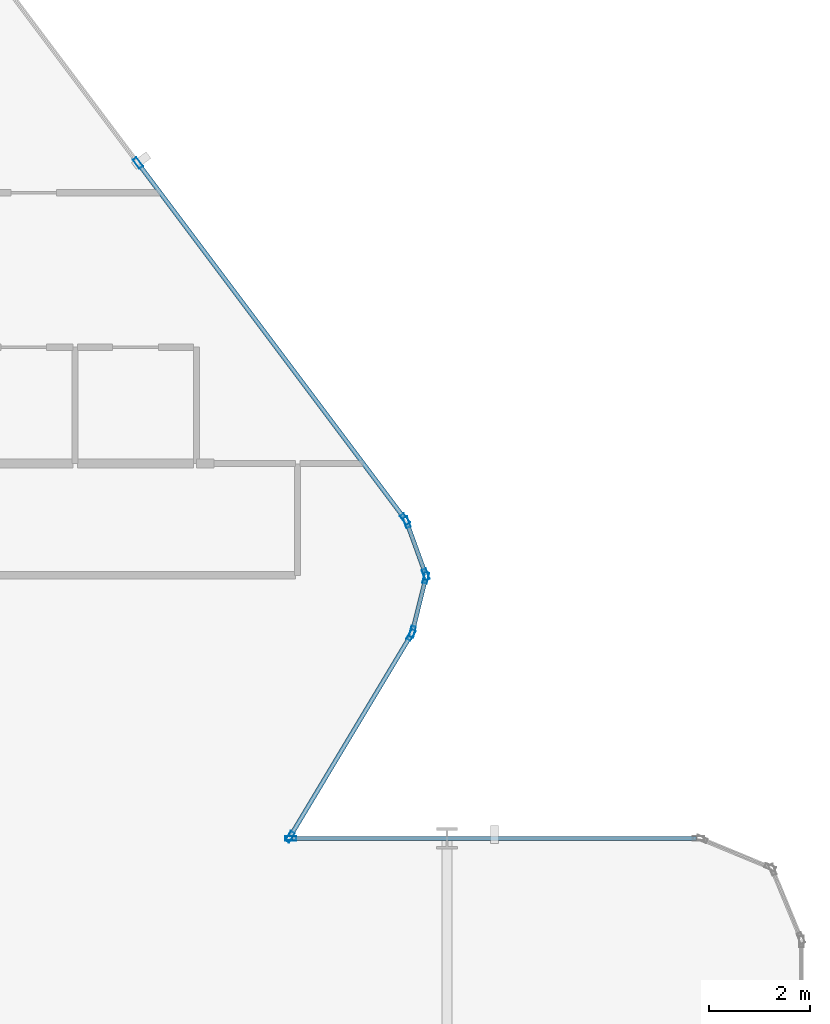
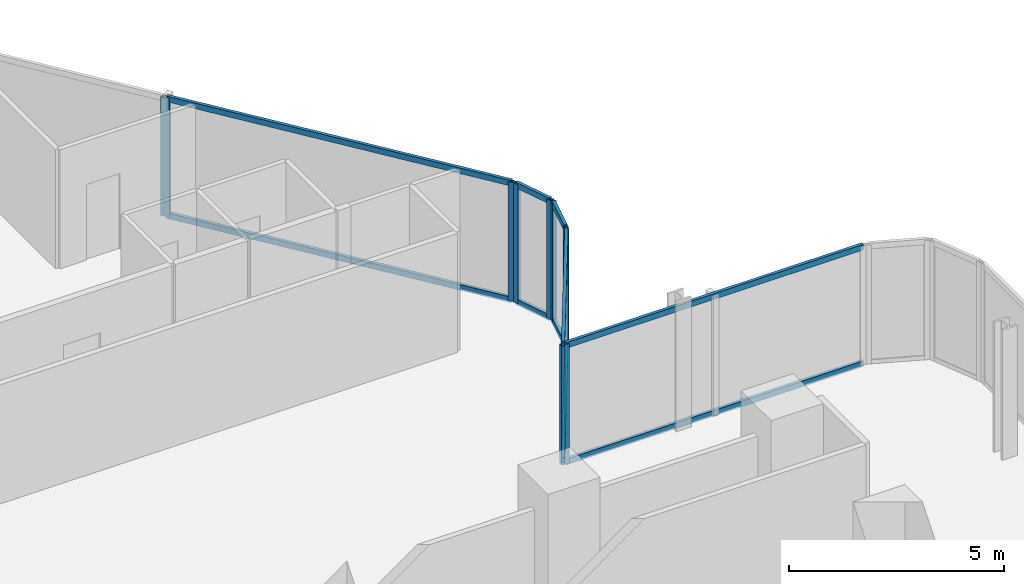
# One storey, part 15 of 34: 19 members, 5 elements without a shape of their own.
"""IFC4 building model written with IfcOpenShell, lengths in metres."""

import ifcopenshell
import ifcopenshell.guid

model = None  # the IFC model being written
_history = None  # IfcOwnerHistory: only IFC2X3 demands one
_inside = {}  # id of a spatial element -> (the spatial element, [elements in it])
_under = {}  # id of a project, library or spatial element -> (it, [spatial elements below it])
_declared = {}  # id of a project -> (the project, [libraries it declares])
_typed = {}  # id of a type object -> (the type object, [elements of that type])
_made_of = {}  # id of a material, layer set ... -> (it, [elements and type objects made of it])


def new_model(schema):
    """Start an empty IFC model of exactly this schema.

    Asked for "IFC4X3", IfcOpenShell would pick the latest addendum, in which some entities
    have other attributes; the version numbers below select the first issue.
    IFC2X3 requires an IfcOwnerHistory on every rooted entity: one is made here for all.
    """
    global model, _history
    if schema == "IFC4X3":
        model = ifcopenshell.file(schema_version=(4, 3, 0, 0))
    else:
        model = ifcopenshell.file(schema=schema)
    _inside.clear()
    _under.clear()
    _declared.clear()
    _typed.clear()
    _made_of.clear()
    _history = None
    if model.schema == "IFC2X3":
        org = make("IfcOrganization", Name="unknown")
        user = make(
            "IfcPersonAndOrganization",
            ThePerson=make("IfcPerson", FamilyName="unknown"),
            TheOrganization=org,
        )
        app = make(
            "IfcApplication",
            ApplicationDeveloper=org,
            Version="unknown",
            ApplicationFullName="unknown",
            ApplicationIdentifier="unknown",
        )
        _history = make(
            "IfcOwnerHistory",
            OwningUser=user,
            OwningApplication=app,
            ChangeAction="ADDED",
            CreationDate=0,
        )
    return model


def make(cls, **values):
    """One entity of the class cls with the attributes given. An attribute that is None is left unset."""
    return model.create_entity(
        cls, **{name: value for name, value in values.items() if value is not None}
    )


def rooted(cls, **values):
    """An entity with a GlobalId (a new one), such as an element, a storey or a relation."""
    return make(cls, GlobalId=ifcopenshell.guid.new(), OwnerHistory=_history, **values)


def si_unit(unit_type, name, prefix=None):
    """IfcSIUnit, for example si_unit("LENGTHUNIT", "METRE", prefix="MILLI")."""
    return make("IfcSIUnit", UnitType=unit_type, Prefix=prefix, Name=name)


def assignment(units):
    """IfcUnitAssignment: the units of a project."""
    return None if units is None else make("IfcUnitAssignment", Units=units)


def point(xyz):
    """IfcCartesianPoint."""
    return None if xyz is None else make("IfcCartesianPoint", Coordinates=xyz)


def direction(xyz):
    """IfcDirection."""
    return None if xyz is None else make("IfcDirection", DirectionRatios=xyz)


def frame(location, z_axis=None, x_axis=None):
    """IfcAxis2Placement3D, a coordinate frame: its origin and axes. An axis left out is left unset."""
    return make(
        "IfcAxis2Placement3D",
        Location=point(location),
        Axis=direction(z_axis),
        RefDirection=direction(x_axis),
    )


def frame_2d(location, x_axis=None):
    """IfcAxis2Placement2D, a coordinate frame in the plane: its origin and x axis."""
    return make(
        "IfcAxis2Placement2D", Location=point(location), RefDirection=direction(x_axis)
    )


def origin():
    """The frame at (0, 0, 0) with its axes left unset."""
    return frame((0.0, 0.0, 0.0))


def origin_2d():
    """The frame at (0, 0) in the plane with its x axis left unset."""
    return frame_2d((0.0, 0.0))


def place(relative_to, where):
    """IfcLocalPlacement: puts the frame where relative to a parent placement (None: the world)."""
    return make(
        "IfcLocalPlacement", PlacementRelTo=relative_to, RelativePlacement=where
    )


def context(
    kind, dimensions, precision=None, world=None, true_north=None, identifier=None
):
    """IfcGeometricRepresentationContext, for example the 3D "Model" context."""
    return make(
        "IfcGeometricRepresentationContext",
        ContextIdentifier=identifier,
        ContextType=kind,
        CoordinateSpaceDimension=dimensions,
        Precision=precision,
        WorldCoordinateSystem=world,
        TrueNorth=true_north,
    )


def subcontext(parent, identifier, kind, view, scale=None):
    """IfcGeometricRepresentationSubContext, for example "Body" below "Model"."""
    return make(
        "IfcGeometricRepresentationSubContext",
        ContextIdentifier=identifier,
        ContextType=kind,
        ParentContext=parent,
        TargetScale=scale,
        TargetView=view,
    )


def project(units=None, contexts=None):
    """IfcProject with its units and contexts."""
    return rooted(
        "IfcProject",
        Name="project",
        RepresentationContexts=contexts,
        UnitsInContext=assignment(units),
    )


def spatial(cls, under=None, at=None, **own):
    """A site, building, storey or space (cls), placed at a placement, below another one or the project."""
    s = rooted(cls, ObjectPlacement=at, **own)
    if under is not None:
        _under.setdefault(under.id(), (under, []))[1].append(s)
    return s


def profile(cls, at=None, kind="AREA", **sizes):
    """A parametric profile (cls). Its sizes go by their IFC names, for example OverallWidth=200.0."""
    return make(cls, ProfileType=kind, Position=at, **sizes)


def hollow_rectangle(**sizes):
    """IfcRectangleHollowProfileDef."""
    return profile("IfcRectangleHollowProfileDef", **sizes)


def extrude(swept, where, along, depth):
    """IfcExtrudedAreaSolid: the profile swept, set in the frame where, extruded along a direction by depth."""
    return make(
        "IfcExtrudedAreaSolid",
        SweptArea=swept,
        Position=where,
        ExtrudedDirection=direction(along),
        Depth=depth,
    )


def shape(context_of_items, identifier, shape_type, items):
    """IfcShapeRepresentation: the items that make up one representation, for example the "Body"."""
    return make(
        "IfcShapeRepresentation",
        ContextOfItems=context_of_items,
        RepresentationIdentifier=identifier,
        RepresentationType=shape_type,
        Items=items,
    )


def material(Name=None, Category=None):
    """IfcMaterial."""
    return make("IfcMaterial", Name=Name, Category=Category)


def layer(
    of_material, thickness, ventilated=None, Name=None, Category=None, Priority=None
):
    """IfcMaterialLayer: one layer of a wall or slab, of a material (None: an air gap)."""
    return make(
        "IfcMaterialLayer",
        Material=of_material,
        LayerThickness=thickness,
        IsVentilated=ventilated,
        Name=Name,
        Category=Category,
        Priority=Priority,
    )


def layer_set(layers, Name=None):
    """IfcMaterialLayerSet."""
    return make("IfcMaterialLayerSet", MaterialLayers=layers, LayerSetName=Name)


def material_profile(
    of_material, cross_section, Name=None, Category=None, Priority=None
):
    """IfcMaterialProfile: a cross section and its material."""
    return make(
        "IfcMaterialProfile",
        Name=Name,
        Material=of_material,
        Profile=cross_section,
        Priority=Priority,
        Category=Category,
    )


def profile_set(profiles, Name=None, composite=None):
    """IfcMaterialProfileSet."""
    return make(
        "IfcMaterialProfileSet",
        Name=Name,
        MaterialProfiles=profiles,
        CompositeProfile=composite,
    )


def made_of(thing, what):
    """Note that an element or type object is made of a material, layer set ...; save() writes the relation."""
    if what is not None:
        _made_of.setdefault(what.id(), (what, []))[1].append(thing)
    return thing


def type_object(cls, material=None, **own):
    """A type object (cls), such as IfcWallType, which elements share."""
    return made_of(rooted(cls, **own), material)


def element(
    cls,
    number,
    at=None,
    inside=None,
    cuts=None,
    type_object=None,
    material=None,
    context=None,
    identifier="Body",
    shape_type=None,
    held_by="IfcProductDefinitionShape",
    body=None,
    shapes=None,
    **own,
):
    """One element of the class cls, such as IfcWall. Its Tag is "e" and its number.

    at: its placement. inside: the storey or other place that contains it. cuts: it is an
    opening in that element (IfcRelVoidsElement). A single representation is given by context,
    identifier, shape_type and body (its items); several are given by shapes. held_by: the class
    of the entity that holds the representations. save() writes the other relations.
    """
    e = rooted(cls, Tag="e%d" % number, ObjectPlacement=at, **own)
    if body is not None:
        shapes = [shape(context, identifier, shape_type, body)]
    if shapes is not None:
        e.Representation = make(held_by, Representations=shapes)
    if inside is not None:
        _inside.setdefault(inside.id(), (inside, []))[1].append(e)
    if cuts is not None:
        rooted(
            "IfcRelVoidsElement", RelatingBuildingElement=cuts, RelatedOpeningElement=e
        )
    if type_object is not None:
        _typed.setdefault(type_object.id(), (type_object, []))[1].append(e)
    return made_of(e, material)


def aggregate(whole, parts):
    """IfcRelAggregates: a whole, such as a stair, and the parts it consists of."""
    return rooted("IfcRelAggregates", RelatingObject=whole, RelatedObjects=parts)


def save(model, path):
    """Write the relations noted so far, then the file.

    IfcRelAggregates (storeys below a building ...), IfcRelContainedInSpatialStructure (elements
    in a storey), IfcRelDefinesByType, IfcRelAssociatesMaterial and IfcRelDeclares: one each for
    every whole, place, type object, material and project.
    """
    for whole, parts in _under.values():
        aggregate(whole, parts)
    for where, things in _inside.values():
        rooted(
            "IfcRelContainedInSpatialStructure",
            RelatedElements=things,
            RelatingStructure=where,
        )
    for kind, things in _typed.values():
        rooted("IfcRelDefinesByType", RelatedObjects=things, RelatingType=kind)
    for what, things in _made_of.values():
        rooted("IfcRelAssociatesMaterial", RelatedObjects=things, RelatingMaterial=what)
    for by, libraries in _declared.values():
        rooted("IfcRelDeclares", RelatingContext=by, RelatedDefinitions=libraries)
    model.write(path)


model = new_model("IFC4")

# Units and contexts
model_context = context("Model", 3, precision=1e-05, world=origin(), true_north=direction((0.0, 1.0)))
body_context = subcontext(model_context, "Body", "Model", "MODEL_VIEW")
ifc_project = project(units=[si_unit("LENGTHUNIT", "METRE"), si_unit("AREAUNIT", "SQUARE_METRE"), si_unit("VOLUMEUNIT", "CUBIC_METRE"), si_unit("PLANEANGLEUNIT", "RADIAN"), si_unit("MASSUNIT", "GRAM", prefix="KILO")], contexts=[model_context])

# Site, building, storey
site_placement = place(None, origin())
site = spatial("IfcSite", under=ifc_project, at=site_placement, CompositionType="ELEMENT")
building_placement = place(site_placement, origin())
building = spatial("IfcBuilding", under=site, at=building_placement, Name="Keshet Zoharim Tower", CompositionType="ELEMENT")
storey_placement = place(building_placement, frame((0.0, 0.0, 38.800048828125)))
storey = spatial("IfcBuildingStorey", under=building, at=storey_placement, Name="L08", CompositionType="ELEMENT", Elevation=38.800048828125)

# Curtain wall, members
ifc_material = material(Name="Aluminium 6063-T6", Category="aluminium")
ifc_layer_1 = layer(ifc_material, 0.169921875)
ifc_layer_set_1 = layer_set([ifc_layer_1], Name="Aluminium 6063-T6")
curtain_wall_type_1 = type_object("IfcCurtainWallType", Name="CW-SYS-02", PredefinedType="NOTDEFINED", material=ifc_layer_set_1)
curtain_wall_1_placement = place(storey_placement, origin())
curtain_wall_1 = element("IfcCurtainWall", 1, at=curtain_wall_1_placement, inside=storey, type_object=curtain_wall_type_1, Name="L08 Unitised Curtain Wall 09", PredefinedType="NOTDEFINED")
ifc_material_profile_1 = material_profile(ifc_material, hollow_rectangle(XDim=0.090087890625, YDim=0.219970703125, WallThickness=0.0048828125, at=origin_2d()), Name="MUL-90x220")
ifc_profile_set_1 = profile_set([ifc_material_profile_1], Name="Aluminium 6063-T6")
member_type_1 = type_object("IfcMemberType", Name="CWM-M22", PredefinedType="MULLION", material=ifc_profile_set_1)
member_1_placement = place(storey_placement, frame((56.896484375, 46.0380859375, 0.0), z_axis=(0.0, 0.0, 1.0), x_axis=(0.799999999998, 0.600000000002, 0.0)))
member_1 = element("IfcMember", 2, at=member_1_placement, type_object=member_type_1, Name="CW-02 mullion 2", PredefinedType="MULLION", context=body_context, shape_type="SweptSolid", body=[
    extrude(hollow_rectangle(XDim=0.090087890625, YDim=0.219970703125, WallThickness=0.0048828125, at=origin_2d()), origin(), (0.0, 0.0, 1.0), 3.385009765625),
])
member_2_placement = place(storey_placement, frame((62.172119140625, 39.00390625, 0.0), z_axis=(0.0, 0.0, 1.0), x_axis=(0.799999999998, 0.600000000002, 0.0)))
member_2 = element("IfcMember", 3, at=member_2_placement, type_object=member_type_1, Name="CW-02 mullion 3", PredefinedType="MULLION", context=body_context, shape_type="SweptSolid", body=[
    extrude(hollow_rectangle(XDim=0.090087890625, YDim=0.219970703125, WallThickness=0.0048828125, at=origin_2d()), origin(), (0.0, 0.0, 1.0), 3.385009765625),
])

curtain_wall_2_placement = place(storey_placement, origin())
curtain_wall_2 = element("IfcCurtainWall", 4, at=curtain_wall_2_placement, inside=storey, type_object=curtain_wall_type_1, Name="L08 Unitised Curtain Wall 10", PredefinedType="NOTDEFINED")
member_3_placement = place(storey_placement, frame((62.204833984375, 38.943115234375, 0.0), z_axis=(0.0, 0.0, 1.0), x_axis=(0.940317877544, 0.340297354046, 0.0)))
member_3 = element("IfcMember", 5, at=member_3_placement, type_object=member_type_1, Name="CW-02 mullion 1", PredefinedType="MULLION", context=body_context, shape_type="SweptSolid", body=[
    extrude(hollow_rectangle(XDim=0.090087890625, YDim=0.219970703125, WallThickness=0.0048828125, at=origin_2d()), origin(), (0.0, 0.0, 1.0), 3.385009765625),
])
member_4_placement = place(storey_placement, frame((62.578125, 37.911865234375, 0.0), z_axis=(0.0, 0.0, 1.0), x_axis=(0.940317877544, 0.340297354046, 0.0)))
member_4 = element("IfcMember", 6, at=member_4_placement, type_object=member_type_1, Name="CW-02 mullion 2", PredefinedType="MULLION", context=body_context, shape_type="SweptSolid", body=[
    extrude(hollow_rectangle(XDim=0.090087890625, YDim=0.219970703125, WallThickness=0.0048828125, at=origin_2d()), origin(), (0.0, 0.0, 1.0), 3.385009765625),
])

curtain_wall_3_placement = place(storey_placement, origin())
curtain_wall_3 = element("IfcCurtainWall", 7, at=curtain_wall_3_placement, inside=storey, type_object=curtain_wall_type_1, Name="L08 Unitised Curtain Wall 11", PredefinedType="NOTDEFINED")
member_5_placement = place(storey_placement, frame((62.58154296875, 37.844970703125, 0.0), z_axis=(0.0, 0.0, 1.0), x_axis=(0.970343857447, -0.241728770141, 0.0)))
member_5 = element("IfcMember", 8, at=member_5_placement, type_object=member_type_1, Name="CW-02 mullion 1", PredefinedType="MULLION", context=body_context, shape_type="SweptSolid", body=[
    extrude(hollow_rectangle(XDim=0.090087890625, YDim=0.219970703125, WallThickness=0.0048828125, at=origin_2d()), origin(), (0.0, 0.0, 1.0), 3.385009765625),
])
member_6_placement = place(storey_placement, frame((62.31640625, 36.781005859375, 0.0), z_axis=(0.0, 0.0, 1.0), x_axis=(0.970343857447, -0.241728770141, 0.0)))
member_6 = element("IfcMember", 9, at=member_6_placement, type_object=member_type_1, Name="CW-02 mullion 2", PredefinedType="MULLION", context=body_context, shape_type="SweptSolid", body=[
    extrude(hollow_rectangle(XDim=0.090087890625, YDim=0.219970703125, WallThickness=0.0048828125, at=origin_2d()), origin(), (0.0, 0.0, 1.0), 3.385009765625),
])

ifc_layer_2 = layer(ifc_material, 0.179931640625)
ifc_layer_set_2 = layer_set([ifc_layer_2], Name="Aluminium 6063-T6")
curtain_wall_type_2 = type_object("IfcCurtainWallType", Name="CW-SYS-01", PredefinedType="NOTDEFINED", material=ifc_layer_set_2)
curtain_wall_4_placement = place(storey_placement, origin())
curtain_wall_4 = element("IfcCurtainWall", 10, at=curtain_wall_4_placement, inside=storey, type_object=curtain_wall_type_2, Name="L08 Unitised Curtain Wall 12", PredefinedType="NOTDEFINED")
member_7_placement = place(storey_placement, frame((62.2900390625, 36.717041015625, 0.0), z_axis=(0.0, 0.0, 1.0), x_axis=(0.857511621163, -0.51446459506, 0.0)))
member_7 = element("IfcMember", 11, at=member_7_placement, type_object=member_type_1, Name="CW-01 mullion 1", PredefinedType="MULLION", context=body_context, shape_type="SweptSolid", body=[
    extrude(hollow_rectangle(XDim=0.090087890625, YDim=0.219970703125, WallThickness=0.0048828125, at=origin_2d()), origin(), (0.0, 0.0, 1.0), 3.385009765625),
])
member_8_placement = place(storey_placement, frame((59.89794921875, 32.72998046875, 0.0), z_axis=(0.0, 0.0, 1.0), x_axis=(0.857511621163, -0.51446459506, 0.0)))
member_8 = element("IfcMember", 12, at=member_8_placement, type_object=member_type_1, Name="CW-01 mullion 2", PredefinedType="MULLION", context=body_context, shape_type="SweptSolid", body=[
    extrude(hollow_rectangle(XDim=0.090087890625, YDim=0.219970703125, WallThickness=0.0048828125, at=origin_2d()), origin(), (0.0, 0.0, 1.0), 3.385009765625),
])

# Curtain wall, member
curtain_wall_5_placement = place(storey_placement, origin())
curtain_wall_5 = element("IfcCurtainWall", 13, at=curtain_wall_5_placement, inside=storey, type_object=curtain_wall_type_1, Name="L08 Unitised Curtain Wall 13", PredefinedType="NOTDEFINED")
member_9_placement = place(storey_placement, frame((59.9150390625, 32.699951171875, 0.0), z_axis=(0.0, 0.0, 1.0), x_axis=(0.0, 1.0, 0.0)))
member_9 = element("IfcMember", 14, at=member_9_placement, type_object=member_type_1, Name="CW-02 mullion 1", PredefinedType="MULLION", context=body_context, shape_type="SweptSolid", body=[
    extrude(hollow_rectangle(XDim=0.090087890625, YDim=0.219970703125, WallThickness=0.0048828125, at=origin_2d()), origin(), (0.0, 0.0, 1.0), 3.385009765625),
])

# Member
ifc_material_profile_2 = material_profile(ifc_material, hollow_rectangle(XDim=0.0849609375, YDim=0.159912109375, WallThickness=0.00439453125, at=origin_2d()), Name="TRN-85x160")
ifc_profile_set_2 = profile_set([ifc_material_profile_2], Name="Aluminium 6063-T6")
member_type_2 = type_object("IfcMemberType", Name="CWT-T16", PredefinedType="USERDEFINED", material=ifc_profile_set_2)
member_10_placement = place(storey_placement, frame((56.91748046875, 46.010009765625, 0.034912109375), z_axis=(0.599991043201, -0.800006717521, 0.0), x_axis=(0.800006717521, 0.599991043201, 0.0)))
member_10 = element("IfcMember", 15, at=member_10_placement, type_object=member_type_2, Name="CW-02 transom 2.1", ObjectType="TRANSOM", PredefinedType="USERDEFINED", context=body_context, shape_type="SweptSolid", body=[
    extrude(hollow_rectangle(XDim=0.0849609375, YDim=0.159912109375, WallThickness=0.00439453125, at=origin_2d()), origin(), (0.0, 0.0, 1.0), 8.722412109375),
])

member_11_placement = place(storey_placement, frame((56.91748046875, 46.010009765625, 3.349853515625), z_axis=(0.599991043201, -0.800006717521, 0.0), x_axis=(0.800006717521, 0.599991043201, 0.0)))
member_11 = element("IfcMember", 16, at=member_11_placement, type_object=member_type_2, Name="CW-02 transom 2.2", ObjectType="TRANSOM", PredefinedType="USERDEFINED", context=body_context, shape_type="SweptSolid", body=[
    extrude(hollow_rectangle(XDim=0.0849609375, YDim=0.159912109375, WallThickness=0.00439453125, at=origin_2d()), origin(), (0.0, 0.0, 1.0), 8.722412109375),
])

aggregate(curtain_wall_1, [member_1, member_2, member_10, member_11])

member_12_placement = place(storey_placement, frame((62.216796875, 38.91015625, 0.034912109375), z_axis=(0.340310579984, -0.940313091024, 0.0), x_axis=(0.940313091024, 0.340310579984, 0.0)))
member_12 = element("IfcMember", 17, at=member_12_placement, type_object=member_type_2, Name="CW-02 transom 1.1", ObjectType="TRANSOM", PredefinedType="USERDEFINED", context=body_context, shape_type="SweptSolid", body=[
    extrude(hollow_rectangle(XDim=0.0849609375, YDim=0.159912109375, WallThickness=0.00439453125, at=origin_2d()), origin(), (0.0, 0.0, 1.0), 1.026611328125),
])

member_13_placement = place(storey_placement, frame((62.216796875, 38.91015625, 3.349853515625), z_axis=(0.340310579984, -0.940313091024, 0.0), x_axis=(0.940313091024, 0.340310579984, 0.0)))
member_13 = element("IfcMember", 18, at=member_13_placement, type_object=member_type_2, Name="CW-02 transom 1.2", ObjectType="TRANSOM", PredefinedType="USERDEFINED", context=body_context, shape_type="SweptSolid", body=[
    extrude(hollow_rectangle(XDim=0.0849609375, YDim=0.159912109375, WallThickness=0.00439453125, at=origin_2d()), origin(), (0.0, 0.0, 1.0), 1.026611328125),
])

aggregate(curtain_wall_2, [member_3, member_4, member_12, member_13])

member_14_placement = place(storey_placement, frame((62.572998046875, 37.81103515625, 0.034912109375), z_axis=(-0.241640143717, -0.970365931463, 0.0), x_axis=(0.970365931463, -0.241640143717, 0.0)))
member_14 = element("IfcMember", 19, at=member_14_placement, type_object=member_type_2, Name="CW-02 transom 1.1", ObjectType="TRANSOM", PredefinedType="USERDEFINED", context=body_context, shape_type="SweptSolid", body=[
    extrude(hollow_rectangle(XDim=0.0849609375, YDim=0.159912109375, WallThickness=0.00439453125, at=origin_2d()), origin(), (0.0, 0.0, 1.0), 1.026611328125),
])

member_15_placement = place(storey_placement, frame((62.572998046875, 37.81103515625, 3.349853515625), z_axis=(-0.241640143717, -0.970365931463, 0.0), x_axis=(0.970365931463, -0.241640143717, 0.0)))
member_15 = element("IfcMember", 20, at=member_15_placement, type_object=member_type_2, Name="CW-02 transom 1.2", ObjectType="TRANSOM", PredefinedType="USERDEFINED", context=body_context, shape_type="SweptSolid", body=[
    extrude(hollow_rectangle(XDim=0.0849609375, YDim=0.159912109375, WallThickness=0.00439453125, at=origin_2d()), origin(), (0.0, 0.0, 1.0), 1.026611328125),
])

aggregate(curtain_wall_3, [member_5, member_6, member_14, member_15])

member_16_placement = place(storey_placement, frame((62.27197265625, 36.68701171875, 0.034912109375), z_axis=(-0.514456555213, -0.857516444622, 0.0), x_axis=(0.857516444622, -0.514456555213, 0.0)))
member_16 = element("IfcMember", 21, at=member_16_placement, type_object=member_type_2, Name="CW-01 transom 1.1", ObjectType="TRANSOM", PredefinedType="USERDEFINED", context=body_context, shape_type="SweptSolid", body=[
    extrude(hollow_rectangle(XDim=0.0849609375, YDim=0.159912109375, WallThickness=0.00439453125, at=origin_2d()), origin(), (0.0, 0.0, 1.0), 4.57958984375),
])

member_17_placement = place(storey_placement, frame((62.27197265625, 36.68701171875, 3.349853515625), z_axis=(-0.514456555213, -0.857516444622, 0.0), x_axis=(0.857516444622, -0.514456555213, 0.0)))
member_17 = element("IfcMember", 22, at=member_17_placement, type_object=member_type_2, Name="CW-01 transom 1.2", ObjectType="TRANSOM", PredefinedType="USERDEFINED", context=body_context, shape_type="SweptSolid", body=[
    extrude(hollow_rectangle(XDim=0.0849609375, YDim=0.159912109375, WallThickness=0.00439453125, at=origin_2d()), origin(), (0.0, 0.0, 1.0), 4.57958984375),
])

aggregate(curtain_wall_4, [member_7, member_8, member_16, member_17])

member_18_placement = place(storey_placement, frame((59.949951171875, 32.699951171875, 0.034912109375), z_axis=(1.0, 0.0, 0.0), x_axis=(0.0, 1.0, 0.0)))
member_18 = element("IfcMember", 23, at=member_18_placement, type_object=member_type_2, Name="CW-02 transom 1.1", ObjectType="TRANSOM", PredefinedType="USERDEFINED", context=body_context, shape_type="SweptSolid", body=[
    extrude(hollow_rectangle(XDim=0.0849609375, YDim=0.159912109375, WallThickness=0.00439453125, at=origin_2d()), origin(), (0.0, 0.0, 1.0), 7.97998046875),
])

member_19_placement = place(storey_placement, frame((59.949951171875, 32.699951171875, 3.349853515625), z_axis=(1.0, 0.0, 0.0), x_axis=(0.0, 1.0, 0.0)))
member_19 = element("IfcMember", 24, at=member_19_placement, type_object=member_type_2, Name="CW-02 transom 1.2", ObjectType="TRANSOM", PredefinedType="USERDEFINED", context=body_context, shape_type="SweptSolid", body=[
    extrude(hollow_rectangle(XDim=0.0849609375, YDim=0.159912109375, WallThickness=0.00439453125, at=origin_2d()), origin(), (0.0, 0.0, 1.0), 7.97998046875),
])

aggregate(curtain_wall_5, [member_9, member_18, member_19])

save(model, "model.ifc")
